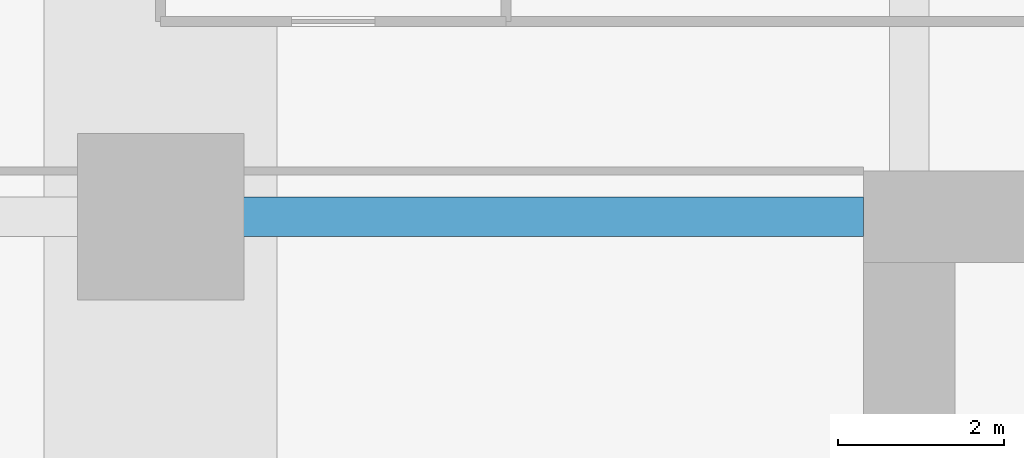
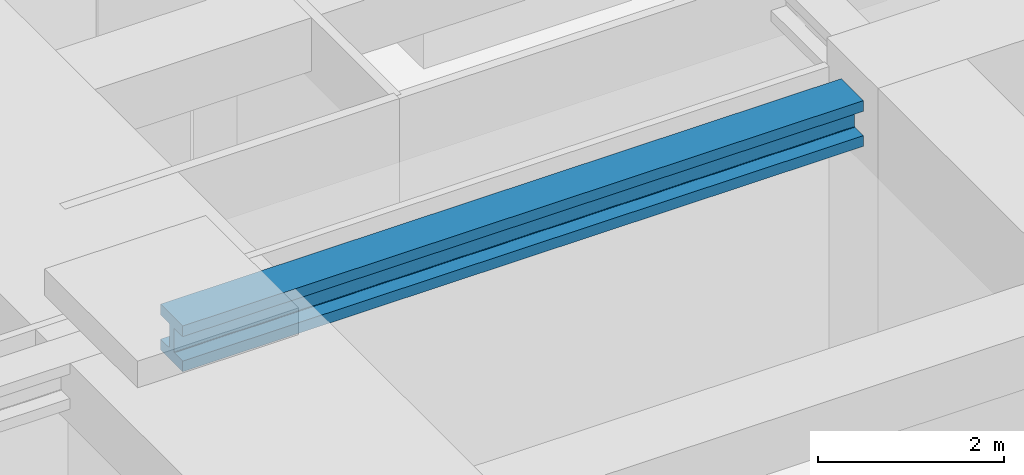
# One storey, part 28 of 45: 1 beam.
"""IFC4 building model written with IfcOpenShell, lengths in metres."""

import ifcopenshell
import ifcopenshell.guid

model = None  # the IFC model being written
_history = None  # IfcOwnerHistory: only IFC2X3 demands one
_inside = {}  # id of a spatial element -> (the spatial element, [elements in it])
_under = {}  # id of a project, library or spatial element -> (it, [spatial elements below it])
_declared = {}  # id of a project -> (the project, [libraries it declares])
_typed = {}  # id of a type object -> (the type object, [elements of that type])
_made_of = {}  # id of a material, layer set ... -> (it, [elements and type objects made of it])


def new_model(schema):
    """Start an empty IFC model of exactly this schema.

    Asked for "IFC4X3", IfcOpenShell would pick the latest addendum, in which some entities
    have other attributes; the version numbers below select the first issue.
    IFC2X3 requires an IfcOwnerHistory on every rooted entity: one is made here for all.
    """
    global model, _history
    if schema == "IFC4X3":
        model = ifcopenshell.file(schema_version=(4, 3, 0, 0))
    else:
        model = ifcopenshell.file(schema=schema)
    _inside.clear()
    _under.clear()
    _declared.clear()
    _typed.clear()
    _made_of.clear()
    _history = None
    if model.schema == "IFC2X3":
        org = make("IfcOrganization", Name="unknown")
        user = make(
            "IfcPersonAndOrganization",
            ThePerson=make("IfcPerson", FamilyName="unknown"),
            TheOrganization=org,
        )
        app = make(
            "IfcApplication",
            ApplicationDeveloper=org,
            Version="unknown",
            ApplicationFullName="unknown",
            ApplicationIdentifier="unknown",
        )
        _history = make(
            "IfcOwnerHistory",
            OwningUser=user,
            OwningApplication=app,
            ChangeAction="ADDED",
            CreationDate=0,
        )
    return model


def make(cls, **values):
    """One entity of the class cls with the attributes given. An attribute that is None is left unset."""
    return model.create_entity(
        cls, **{name: value for name, value in values.items() if value is not None}
    )


def rooted(cls, **values):
    """An entity with a GlobalId (a new one), such as an element, a storey or a relation."""
    return make(cls, GlobalId=ifcopenshell.guid.new(), OwnerHistory=_history, **values)


def si_unit(unit_type, name, prefix=None):
    """IfcSIUnit, for example si_unit("LENGTHUNIT", "METRE", prefix="MILLI")."""
    return make("IfcSIUnit", UnitType=unit_type, Prefix=prefix, Name=name)


def assignment(units):
    """IfcUnitAssignment: the units of a project."""
    return None if units is None else make("IfcUnitAssignment", Units=units)


def point(xyz):
    """IfcCartesianPoint."""
    return None if xyz is None else make("IfcCartesianPoint", Coordinates=xyz)


def direction(xyz):
    """IfcDirection."""
    return None if xyz is None else make("IfcDirection", DirectionRatios=xyz)


def frame(location, z_axis=None, x_axis=None):
    """IfcAxis2Placement3D, a coordinate frame: its origin and axes. An axis left out is left unset."""
    return make(
        "IfcAxis2Placement3D",
        Location=point(location),
        Axis=direction(z_axis),
        RefDirection=direction(x_axis),
    )


def frame_2d(location, x_axis=None):
    """IfcAxis2Placement2D, a coordinate frame in the plane: its origin and x axis."""
    return make(
        "IfcAxis2Placement2D", Location=point(location), RefDirection=direction(x_axis)
    )


def origin():
    """The frame at (0, 0, 0) with its axes left unset."""
    return frame((0.0, 0.0, 0.0))


def origin_2d():
    """The frame at (0, 0) in the plane with its x axis left unset."""
    return frame_2d((0.0, 0.0))


def place(relative_to, where):
    """IfcLocalPlacement: puts the frame where relative to a parent placement (None: the world)."""
    return make(
        "IfcLocalPlacement", PlacementRelTo=relative_to, RelativePlacement=where
    )


def context(
    kind, dimensions, precision=None, world=None, true_north=None, identifier=None
):
    """IfcGeometricRepresentationContext, for example the 3D "Model" context."""
    return make(
        "IfcGeometricRepresentationContext",
        ContextIdentifier=identifier,
        ContextType=kind,
        CoordinateSpaceDimension=dimensions,
        Precision=precision,
        WorldCoordinateSystem=world,
        TrueNorth=true_north,
    )


def subcontext(parent, identifier, kind, view, scale=None):
    """IfcGeometricRepresentationSubContext, for example "Body" below "Model"."""
    return make(
        "IfcGeometricRepresentationSubContext",
        ContextIdentifier=identifier,
        ContextType=kind,
        ParentContext=parent,
        TargetScale=scale,
        TargetView=view,
    )


def project(units=None, contexts=None):
    """IfcProject with its units and contexts."""
    return rooted(
        "IfcProject",
        Name="project",
        RepresentationContexts=contexts,
        UnitsInContext=assignment(units),
    )


def spatial(cls, under=None, at=None, **own):
    """A site, building, storey or space (cls), placed at a placement, below another one or the project."""
    s = rooted(cls, ObjectPlacement=at, **own)
    if under is not None:
        _under.setdefault(under.id(), (under, []))[1].append(s)
    return s


def profile(cls, at=None, kind="AREA", **sizes):
    """A parametric profile (cls). Its sizes go by their IFC names, for example OverallWidth=200.0."""
    return make(cls, ProfileType=kind, Position=at, **sizes)


def i_section(**sizes):
    """IfcIShapeProfileDef."""
    return profile("IfcIShapeProfileDef", **sizes)


def extrude(swept, where, along, depth):
    """IfcExtrudedAreaSolid: the profile swept, set in the frame where, extruded along a direction by depth."""
    return make(
        "IfcExtrudedAreaSolid",
        SweptArea=swept,
        Position=where,
        ExtrudedDirection=direction(along),
        Depth=depth,
    )


def shape(context_of_items, identifier, shape_type, items):
    """IfcShapeRepresentation: the items that make up one representation, for example the "Body"."""
    return make(
        "IfcShapeRepresentation",
        ContextOfItems=context_of_items,
        RepresentationIdentifier=identifier,
        RepresentationType=shape_type,
        Items=items,
    )


def material(Name=None, Category=None):
    """IfcMaterial."""
    return make("IfcMaterial", Name=Name, Category=Category)


def material_profile(
    of_material, cross_section, Name=None, Category=None, Priority=None
):
    """IfcMaterialProfile: a cross section and its material."""
    return make(
        "IfcMaterialProfile",
        Name=Name,
        Material=of_material,
        Profile=cross_section,
        Priority=Priority,
        Category=Category,
    )


def profile_set(profiles, Name=None, composite=None):
    """IfcMaterialProfileSet."""
    return make(
        "IfcMaterialProfileSet",
        Name=Name,
        MaterialProfiles=profiles,
        CompositeProfile=composite,
    )


def made_of(thing, what):
    """Note that an element or type object is made of a material, layer set ...; save() writes the relation."""
    if what is not None:
        _made_of.setdefault(what.id(), (what, []))[1].append(thing)
    return thing


def type_object(cls, material=None, **own):
    """A type object (cls), such as IfcWallType, which elements share."""
    return made_of(rooted(cls, **own), material)


def element(
    cls,
    number,
    at=None,
    inside=None,
    cuts=None,
    type_object=None,
    material=None,
    context=None,
    identifier="Body",
    shape_type=None,
    held_by="IfcProductDefinitionShape",
    body=None,
    shapes=None,
    **own,
):
    """One element of the class cls, such as IfcWall. Its Tag is "e" and its number.

    at: its placement. inside: the storey or other place that contains it. cuts: it is an
    opening in that element (IfcRelVoidsElement). A single representation is given by context,
    identifier, shape_type and body (its items); several are given by shapes. held_by: the class
    of the entity that holds the representations. save() writes the other relations.
    """
    e = rooted(cls, Tag="e%d" % number, ObjectPlacement=at, **own)
    if body is not None:
        shapes = [shape(context, identifier, shape_type, body)]
    if shapes is not None:
        e.Representation = make(held_by, Representations=shapes)
    if inside is not None:
        _inside.setdefault(inside.id(), (inside, []))[1].append(e)
    if cuts is not None:
        rooted(
            "IfcRelVoidsElement", RelatingBuildingElement=cuts, RelatedOpeningElement=e
        )
    if type_object is not None:
        _typed.setdefault(type_object.id(), (type_object, []))[1].append(e)
    return made_of(e, material)


def aggregate(whole, parts):
    """IfcRelAggregates: a whole, such as a stair, and the parts it consists of."""
    return rooted("IfcRelAggregates", RelatingObject=whole, RelatedObjects=parts)


def save(model, path):
    """Write the relations noted so far, then the file.

    IfcRelAggregates (storeys below a building ...), IfcRelContainedInSpatialStructure (elements
    in a storey), IfcRelDefinesByType, IfcRelAssociatesMaterial and IfcRelDeclares: one each for
    every whole, place, type object, material and project.
    """
    for whole, parts in _under.values():
        aggregate(whole, parts)
    for where, things in _inside.values():
        rooted(
            "IfcRelContainedInSpatialStructure",
            RelatedElements=things,
            RelatingStructure=where,
        )
    for kind, things in _typed.values():
        rooted("IfcRelDefinesByType", RelatedObjects=things, RelatingType=kind)
    for what, things in _made_of.values():
        rooted("IfcRelAssociatesMaterial", RelatedObjects=things, RelatingMaterial=what)
    for by, libraries in _declared.values():
        rooted("IfcRelDeclares", RelatingContext=by, RelatedDefinitions=libraries)
    model.write(path)


model = new_model("IFC4")

# Units and contexts
model_context = context("Model", 3, precision=1e-05, world=origin(), true_north=direction((0.0, 1.0)))
body_context = subcontext(model_context, "Body", "Model", "MODEL_VIEW")
ifc_project = project(units=[si_unit("LENGTHUNIT", "METRE"), si_unit("AREAUNIT", "SQUARE_METRE"), si_unit("VOLUMEUNIT", "CUBIC_METRE"), si_unit("PLANEANGLEUNIT", "RADIAN"), si_unit("MASSUNIT", "GRAM", prefix="KILO")], contexts=[model_context])

# Site, building, storey
site_placement = place(None, origin())
site = spatial("IfcSite", under=ifc_project, at=site_placement, CompositionType="ELEMENT")
building_placement = place(site_placement, origin())
building = spatial("IfcBuilding", under=site, at=building_placement, Name="Zorevar Civic Tower", CompositionType="ELEMENT")
storey_placement = place(building_placement, frame((0.0, 0.0, 153.0)))
storey = spatial("IfcBuildingStorey", under=building, at=storey_placement, Name="L37", CompositionType="ELEMENT", Elevation=153.0)

# Beam
ifc_material = material(Name="Steel S460M (HISTAR 460)", Category="steel")
ifc_material_profile = material_profile(ifc_material, i_section(OverallWidth=0.47607421875, OverallDepth=0.60009765625, WebThickness=0.10009765625, FlangeThickness=0.139892578125, FilletRadius=0.014892578125, at=origin_2d()), Name="HD 400x1299")
ifc_profile_set = profile_set([ifc_material_profile], Name="Steel S460M (HISTAR 460)")
beam_type = type_object("IfcBeamType", Name="Outrigger chord HD 400x1299", PredefinedType="BEAM", material=ifc_profile_set)
beam_placement = place(storey_placement, frame((9.0, 36.0, 3.550048828125), z_axis=(1.0, 0.0, 0.0), x_axis=(0.0, 1.0, 0.0)))
element("IfcBeam", 1, at=beam_placement, inside=storey, type_object=beam_type, Name="Outrigger chord L38", PredefinedType="BEAM", context=body_context, shape_type="SweptSolid", body=[
    extrude(i_section(OverallWidth=0.47607421875, OverallDepth=0.60009765625, WebThickness=0.10009765625, FlangeThickness=0.139892578125, FilletRadius=0.014892578125, at=origin_2d()), origin(), (0.0, 0.0, 1.0), 8.449951171875),
])

save(model, "model.ifc")
